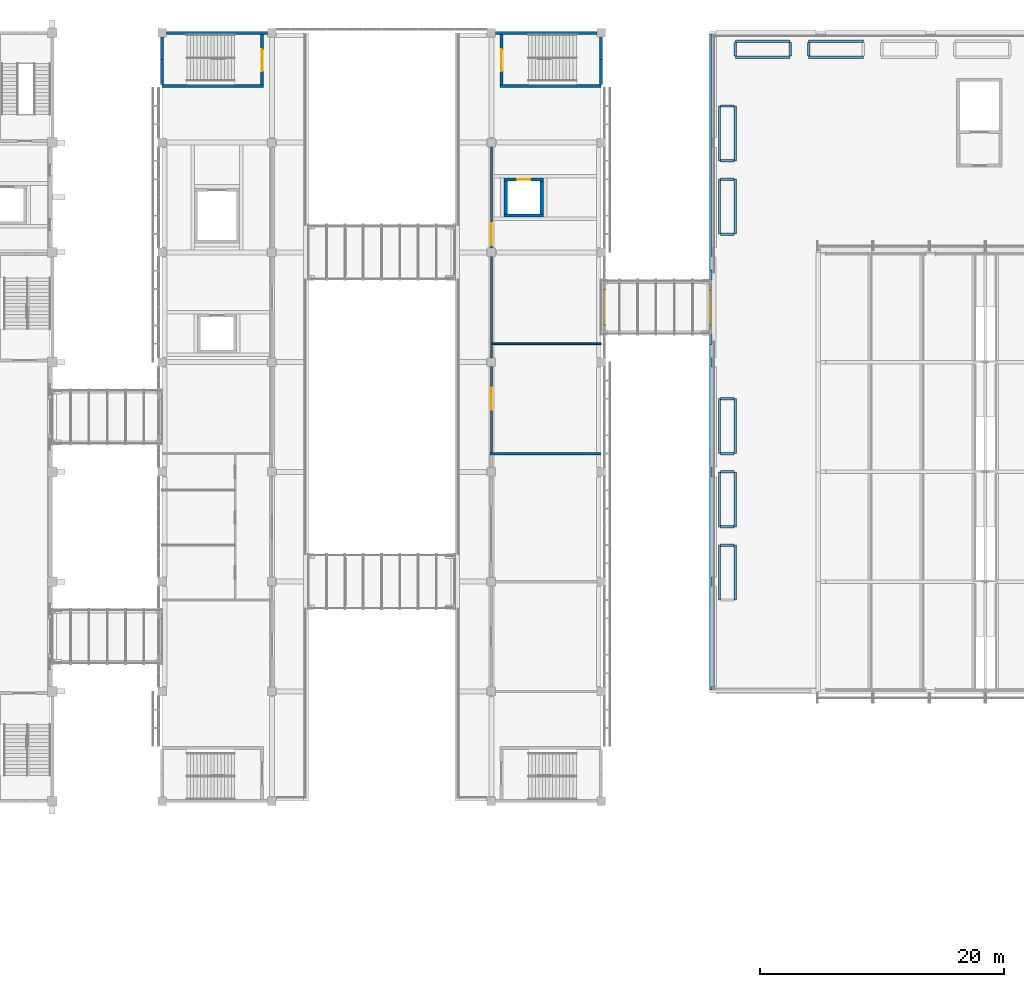
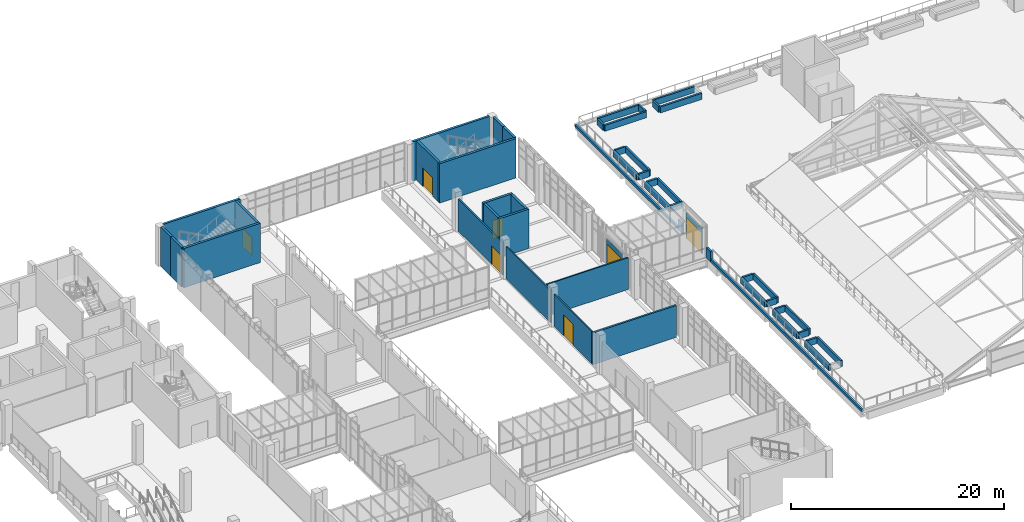
# One storey, part 75 of 106: 51 walls, 7 doors, 7 openings.
"""IFC4 building model written with IfcOpenShell, lengths in metres."""

from ifc_helpers import new_model, si_unit, direction, frame, frame_2d, origin, place, context, subcontext, project, spatial, rectangle, extrude, material, layer, layer_set, type_object, element, fill, save


model = new_model("IFC4")

# Units and contexts
model_context = context("Model", 3, precision=1e-05, world=origin(), true_north=direction((0.0, 1.0)))
body_context = subcontext(model_context, "Body", "Model", "MODEL_VIEW")
ifc_project = project(units=[si_unit("LENGTHUNIT", "METRE"), si_unit("AREAUNIT", "SQUARE_METRE"), si_unit("VOLUMEUNIT", "CUBIC_METRE"), si_unit("PLANEANGLEUNIT", "RADIAN"), si_unit("MASSUNIT", "GRAM", prefix="KILO")], contexts=[model_context])

# Site, building, storey
site_placement = place(None, origin())
site = spatial("IfcSite", under=ifc_project, at=site_placement, CompositionType="ELEMENT")
building_placement = place(site_placement, origin())
building = spatial("IfcBuilding", under=site, at=building_placement, Name="Guidao Yard Department Store", CompositionType="ELEMENT")
storey_placement = place(building_placement, frame((0.0, 0.0, 10.5)))
storey = spatial("IfcBuildingStorey", under=building, at=storey_placement, Name="L02", CompositionType="ELEMENT", Elevation=10.5)

# Wall, opening, door
ifc_material_1 = material(Name="Aluminium 6063-T5", Category="aluminium")
ifc_layer_1 = layer(ifc_material_1, 0.1201171875)
ifc_layer_set_1 = layer_set([ifc_layer_1], Name="Glazing frame wall 120")
wall_type_1 = type_object("IfcWallType", Name="Glazing frame wall 120", PredefinedType="STANDARD", material=ifc_layer_set_1)
wall_1_placement = place(storey_placement, frame((108.280029296875, 86.969970703125, 0.0), z_axis=(0.0, 0.0, 1.0), x_axis=(0.0, -1.0, 0.0)))
wall_1 = element("IfcWall", 1, at=wall_1_placement, inside=storey, type_object=wall_type_1, Name="Frame wall for Bridge door BR08", PredefinedType="STANDARD", context=body_context, shape_type="SweptSolid", body=[
    extrude(rectangle(XDim=2.93994140625, YDim=0.1201171875, at=frame_2d((1.469970703125, 0.0))), origin(), (0.0, 0.0, 1.0), 2.969970703125),
])
opening_1_placement = place(wall_1_placement, frame((0.070068359375, 0.0, 0.0)))
opening_1 = element("IfcOpeningElement", 2, at=opening_1_placement, cuts=wall_1, Name="Opening L02-854", PredefinedType="OPENING", context=body_context, shape_type="SweptSolid", body=[
    extrude(rectangle(XDim=2.800048828125, YDim=2.39990234375, at=frame_2d((1.39990234375, 1.199951171875))), frame((0.0, 0.070068359375, 0.0), z_axis=(0.0, -1.0, 0.0), x_axis=(1.0, 0.0, 0.0)), (0.0, 0.0, 1.0), 0.14013671875),
])
ifc_material_2 = material(Name="Fire-resistant glass in steel frame", Category="steel")
door_type_1 = type_object("IfcDoorType", Name="Bridge door BD1 2800 x 2400 fire-rated glazed double leaf", OperationType="DOUBLE_DOOR_SINGLE_SWING", PredefinedType="DOOR", material=ifc_material_2)
door_1_placement = place(opening_1_placement, origin())
door_1 = element("IfcDoor", 3, at=door_1_placement, inside=storey, type_object=door_type_1, Name="Bridge door BR08", OperationType="DOUBLE_DOOR_SINGLE_SWING", OverallHeight=2.39990234375, OverallWidth=2.800048828125, PredefinedType="DOOR", context=body_context, shape_type="SweptSolid", body=[
    extrude(rectangle(XDim=2.800048828125, YDim=2.39990234375, at=frame_2d((1.39990234375, 1.199951171875))), frame((0.0, 0.02490234375, 0.0), z_axis=(0.0, -1.0, 0.0), x_axis=(1.0, 0.0, 0.0)), (0.0, 0.0, 1.0), 0.050048828125),
])
fill(opening_1, door_1)

wall_2_placement = place(storey_placement, frame((116.919921875, 86.969970703125, 0.0), z_axis=(0.0, 0.0, 1.0), x_axis=(0.0, -1.0, 0.0)))
wall_2 = element("IfcWall", 4, at=wall_2_placement, inside=storey, type_object=wall_type_1, Name="Frame wall for bridge door", PredefinedType="STANDARD", context=body_context, shape_type="SweptSolid", body=[
    extrude(rectangle(XDim=2.93994140625, YDim=0.1201171875, at=frame_2d((1.469970703125, 0.0))), origin(), (0.0, 0.0, 1.0), 2.969970703125),
])
opening_2_placement = place(wall_2_placement, frame((2.8701171875, 0.0, 0.0), z_axis=(0.0, 0.0, 1.0), x_axis=(-1.0, 0.0, 0.0)))
opening_2 = element("IfcOpeningElement", 5, at=opening_2_placement, cuts=wall_2, Name="Opening L02-855", PredefinedType="OPENING", context=body_context, shape_type="SweptSolid", body=[
    extrude(rectangle(XDim=2.800048828125, YDim=2.39990234375, at=frame_2d((1.39990234375, 1.199951171875))), frame((0.0, 0.070068359375, 0.0), z_axis=(0.0, -1.0, 0.0), x_axis=(1.0, 0.0, 0.0)), (0.0, 0.0, 1.0), 0.14013671875),
])
door_2_placement = place(opening_2_placement, origin())
door_2 = element("IfcDoor", 6, at=door_2_placement, inside=storey, type_object=door_type_1, Name="Bridge door BR08", OperationType="DOUBLE_DOOR_SINGLE_SWING", OverallHeight=2.39990234375, OverallWidth=2.800048828125, PredefinedType="DOOR", context=body_context, shape_type="SweptSolid", body=[
    extrude(rectangle(XDim=2.800048828125, YDim=2.39990234375, at=frame_2d((1.39990234375, 1.199951171875))), frame((0.0, 0.02490234375, 0.0), z_axis=(0.0, -1.0, 0.0), x_axis=(1.0, 0.0, 0.0)), (0.0, 0.0, 1.0), 0.050048828125),
])
fill(opening_2, door_2)

# Walls
ifc_material_3 = material(Name="Concrete C30", Category="concrete")
ifc_layer_2 = layer(ifc_material_3, 0.199951171875)
ifc_layer_set_2 = layer_set([ifc_layer_2], Name="Parapet wall 200 C30")
wall_type_2 = type_object("IfcWallType", Name="Parapet wall 200 C30", PredefinedType="PARAPET", material=ifc_layer_set_2)
for number, where, z_axis, x_axis, name in (
    (7, (117.0, 82.449951171875, 0.0), (0.0, 0.0, 1.0), (0.0, 1.0, 0.0), "Parapet"),
    (8, (117.0, 87.75, 0.0), (0.0, 0.0, 1.0), (0.0, 1.0, 0.0), "Parapet"),
):
    element("IfcWall", number, at=place(storey_placement, frame(where, z_axis=z_axis, x_axis=x_axis)), inside=storey, type_object=wall_type_2, Name=name, PredefinedType="PARAPET", context=body_context, shape_type="SweptSolid", body=[
        extrude(rectangle(XDim=0.800048828125, YDim=0.199951171875, at=frame_2d((0.39990234375, 0.0))), origin(), (0.0, 0.0, 1.0), 1.199951171875),
    ])
ifc_material_4 = material(Name="Concrete C30", Category="concrete")
ifc_layer_3 = layer(ifc_material_4, 0.199951171875)
ifc_layer_set_3 = layer_set([ifc_layer_3], Name="Planter wall 200 C30")
wall_type_3 = type_object("IfcWallType", Name="Planter wall 200 C30", PredefinedType="USERDEFINED", material=ifc_layer_set_3)
for number, where, z_axis, x_axis, name in (
    (9, (117.699951171875, 61.5, 0.0), (0.0, 0.0, 1.0), (0.0, 1.0, 0.0), "Planter wall"),
    (10, (119.0, 61.5, 0.0), (0.0, 0.0, 1.0), (0.0, 1.0, 0.0), "Planter wall"),
):
    element("IfcWall", number, at=place(storey_placement, frame(where, z_axis=z_axis, x_axis=x_axis)), inside=storey, type_object=wall_type_3, Name=name, ObjectType="PLANTER", PredefinedType="USERDEFINED", context=body_context, shape_type="SweptSolid", body=[
        extrude(rectangle(XDim=4.5, YDim=0.199951171875, at=frame_2d((2.25, 0.0))), origin(), (0.0, 0.0, 1.0), 0.699951171875),
    ])
wall_3_placement = place(storey_placement, frame((117.800048828125, 66.0, 0.0), z_axis=(0.0, 0.0, 1.0), x_axis=(1.0, 0.0, 0.0)))
element("IfcWall", 11, at=wall_3_placement, inside=storey, type_object=wall_type_3, Name="Planter wall", ObjectType="PLANTER", PredefinedType="USERDEFINED", context=body_context, shape_type="SweptSolid", body=[
    extrude(rectangle(XDim=1.099853515625, YDim=0.199951171875, at=frame_2d((0.5498046875, 0.0))), origin(), (0.0, 0.0, 1.0), 0.699951171875),
])
for number, where, z_axis, x_axis, name in (
    (12, (117.699951171875, 67.5, 0.0), (0.0, 0.0, 1.0), (0.0, 1.0, 0.0), "Planter wall"),
    (13, (119.0, 67.5, 0.0), (0.0, 0.0, 1.0), (0.0, 1.0, 0.0), "Planter wall"),
):
    element("IfcWall", number, at=place(storey_placement, frame(where, z_axis=z_axis, x_axis=x_axis)), inside=storey, type_object=wall_type_3, Name=name, ObjectType="PLANTER", PredefinedType="USERDEFINED", context=body_context, shape_type="SweptSolid", body=[
        extrude(rectangle(XDim=4.5, YDim=0.199951171875, at=frame_2d((2.25, 0.0))), origin(), (0.0, 0.0, 1.0), 0.699951171875),
    ])
for number, where, z_axis, x_axis, name in (
    (14, (117.800048828125, 67.5, 0.0), (0.0, 0.0, 1.0), (1.0, 0.0, 0.0), "Planter wall"),
    (15, (117.800048828125, 72.0, 0.0), (0.0, 0.0, 1.0), (1.0, 0.0, 0.0), "Planter wall"),
):
    element("IfcWall", number, at=place(storey_placement, frame(where, z_axis=z_axis, x_axis=x_axis)), inside=storey, type_object=wall_type_3, Name=name, ObjectType="PLANTER", PredefinedType="USERDEFINED", context=body_context, shape_type="SweptSolid", body=[
        extrude(rectangle(XDim=1.099853515625, YDim=0.199951171875, at=frame_2d((0.5498046875, 0.0))), origin(), (0.0, 0.0, 1.0), 0.699951171875),
    ])
for number, where, z_axis, x_axis, name in (
    (16, (117.699951171875, 73.5, 0.0), (0.0, 0.0, 1.0), (0.0, 1.0, 0.0), "Planter wall"),
    (17, (119.0, 73.5, 0.0), (0.0, 0.0, 1.0), (0.0, 1.0, 0.0), "Planter wall"),
):
    element("IfcWall", number, at=place(storey_placement, frame(where, z_axis=z_axis, x_axis=x_axis)), inside=storey, type_object=wall_type_3, Name=name, ObjectType="PLANTER", PredefinedType="USERDEFINED", context=body_context, shape_type="SweptSolid", body=[
        extrude(rectangle(XDim=4.5, YDim=0.199951171875, at=frame_2d((2.25, 0.0))), origin(), (0.0, 0.0, 1.0), 0.699951171875),
    ])
for number, where, z_axis, x_axis, name in (
    (18, (117.800048828125, 73.5, 0.0), (0.0, 0.0, 1.0), (1.0, 0.0, 0.0), "Planter wall"),
    (19, (117.800048828125, 78.0, 0.0), (0.0, 0.0, 1.0), (1.0, 0.0, 0.0), "Planter wall"),
):
    element("IfcWall", number, at=place(storey_placement, frame(where, z_axis=z_axis, x_axis=x_axis)), inside=storey, type_object=wall_type_3, Name=name, ObjectType="PLANTER", PredefinedType="USERDEFINED", context=body_context, shape_type="SweptSolid", body=[
        extrude(rectangle(XDim=1.099853515625, YDim=0.199951171875, at=frame_2d((0.5498046875, 0.0))), origin(), (0.0, 0.0, 1.0), 0.699951171875),
    ])
for number, where, z_axis, x_axis, name in (
    (20, (117.699951171875, 91.5, 0.0), (0.0, 0.0, 1.0), (0.0, 1.0, 0.0), "Planter wall"),
    (21, (119.0, 91.5, 0.0), (0.0, 0.0, 1.0), (0.0, 1.0, 0.0), "Planter wall"),
):
    element("IfcWall", number, at=place(storey_placement, frame(where, z_axis=z_axis, x_axis=x_axis)), inside=storey, type_object=wall_type_3, Name=name, ObjectType="PLANTER", PredefinedType="USERDEFINED", context=body_context, shape_type="SweptSolid", body=[
        extrude(rectangle(XDim=4.5, YDim=0.199951171875, at=frame_2d((2.25, 0.0))), origin(), (0.0, 0.0, 1.0), 0.699951171875),
    ])
for number, where, z_axis, x_axis, name in (
    (22, (117.800048828125, 91.5, 0.0), (0.0, 0.0, 1.0), (1.0, 0.0, 0.0), "Planter wall"),
    (23, (117.800048828125, 96.0, 0.0), (0.0, 0.0, 1.0), (1.0, 0.0, 0.0), "Planter wall"),
):
    element("IfcWall", number, at=place(storey_placement, frame(where, z_axis=z_axis, x_axis=x_axis)), inside=storey, type_object=wall_type_3, Name=name, ObjectType="PLANTER", PredefinedType="USERDEFINED", context=body_context, shape_type="SweptSolid", body=[
        extrude(rectangle(XDim=1.099853515625, YDim=0.199951171875, at=frame_2d((0.5498046875, 0.0))), origin(), (0.0, 0.0, 1.0), 0.699951171875),
    ])
for number, where, z_axis, x_axis, name in (
    (24, (117.699951171875, 97.5, 0.0), (0.0, 0.0, 1.0), (0.0, 1.0, 0.0), "Planter wall"),
    (25, (119.0, 97.5, 0.0), (0.0, 0.0, 1.0), (0.0, 1.0, 0.0), "Planter wall"),
):
    element("IfcWall", number, at=place(storey_placement, frame(where, z_axis=z_axis, x_axis=x_axis)), inside=storey, type_object=wall_type_3, Name=name, ObjectType="PLANTER", PredefinedType="USERDEFINED", context=body_context, shape_type="SweptSolid", body=[
        extrude(rectangle(XDim=4.5, YDim=0.199951171875, at=frame_2d((2.25, 0.0))), origin(), (0.0, 0.0, 1.0), 0.699951171875),
    ])
for number, where, z_axis, x_axis, name in (
    (26, (117.800048828125, 97.5, 0.0), (0.0, 0.0, 1.0), (1.0, 0.0, 0.0), "Planter wall"),
    (27, (117.800048828125, 102.0, 0.0), (0.0, 0.0, 1.0), (1.0, 0.0, 0.0), "Planter wall"),
):
    element("IfcWall", number, at=place(storey_placement, frame(where, z_axis=z_axis, x_axis=x_axis)), inside=storey, type_object=wall_type_3, Name=name, ObjectType="PLANTER", PredefinedType="USERDEFINED", context=body_context, shape_type="SweptSolid", body=[
        extrude(rectangle(XDim=1.099853515625, YDim=0.199951171875, at=frame_2d((0.5498046875, 0.0))), origin(), (0.0, 0.0, 1.0), 0.699951171875),
    ])
for number, where, z_axis, x_axis, name in (
    (28, (119.0, 106.0, 0.0), (0.0, 0.0, 1.0), (1.0, 0.0, 0.0), "Planter wall"),
    (29, (119.0, 107.300048828125, 0.0), (0.0, 0.0, 1.0), (1.0, 0.0, 0.0), "Planter wall"),
):
    element("IfcWall", number, at=place(storey_placement, frame(where, z_axis=z_axis, x_axis=x_axis)), inside=storey, type_object=wall_type_3, Name=name, ObjectType="PLANTER", PredefinedType="USERDEFINED", context=body_context, shape_type="SweptSolid", body=[
        extrude(rectangle(XDim=4.5, YDim=0.199951171875, at=frame_2d((2.25, 0.0))), origin(), (0.0, 0.0, 1.0), 0.699951171875),
    ])
for number, where, z_axis, x_axis, name in (
    (30, (119.0, 106.10009765625, 0.0), (0.0, 0.0, 1.0), (0.0, 1.0, 0.0), "Planter wall"),
    (31, (123.5, 106.10009765625, 0.0), (0.0, 0.0, 1.0), (0.0, 1.0, 0.0), "Planter wall"),
):
    element("IfcWall", number, at=place(storey_placement, frame(where, z_axis=z_axis, x_axis=x_axis)), inside=storey, type_object=wall_type_3, Name=name, ObjectType="PLANTER", PredefinedType="USERDEFINED", context=body_context, shape_type="SweptSolid", body=[
        extrude(rectangle(XDim=1.099853515625, YDim=0.199951171875, at=frame_2d((0.5498046875, 0.0))), origin(), (0.0, 0.0, 1.0), 0.699951171875),
    ])
for number, where, z_axis, x_axis, name in (
    (32, (125.0, 106.0, 0.0), (0.0, 0.0, 1.0), (1.0, 0.0, 0.0), "Planter wall"),
    (33, (125.0, 107.300048828125, 0.0), (0.0, 0.0, 1.0), (1.0, 0.0, 0.0), "Planter wall"),
):
    element("IfcWall", number, at=place(storey_placement, frame(where, z_axis=z_axis, x_axis=x_axis)), inside=storey, type_object=wall_type_3, Name=name, ObjectType="PLANTER", PredefinedType="USERDEFINED", context=body_context, shape_type="SweptSolid", body=[
        extrude(rectangle(XDim=4.5, YDim=0.199951171875, at=frame_2d((2.25, 0.0))), origin(), (0.0, 0.0, 1.0), 0.699951171875),
    ])
wall_4_placement = place(storey_placement, frame((125.0, 106.10009765625, 0.0), z_axis=(0.0, 0.0, 1.0), x_axis=(0.0, 1.0, 0.0)))
element("IfcWall", 34, at=wall_4_placement, inside=storey, type_object=wall_type_3, Name="Planter wall", ObjectType="PLANTER", PredefinedType="USERDEFINED", context=body_context, shape_type="SweptSolid", body=[
    extrude(rectangle(XDim=1.099853515625, YDim=0.199951171875, at=frame_2d((0.5498046875, 0.0))), origin(), (0.0, 0.0, 1.0), 0.699951171875),
])
ifc_material_5 = material(Name="Concrete C30", Category="concrete")
ifc_layer_4 = layer(ifc_material_5, 0.199951171875)
ifc_layer_set_4 = layer_set([ifc_layer_4], Name="Roof edge kerb 200 C30")
wall_type_4 = type_object("IfcWallType", Name="Roof edge kerb 200 C30", PredefinedType="PARAPET", material=ifc_layer_set_4)
wall_5_placement = place(storey_placement, frame((117.0, 54.10009765625, 0.0), z_axis=(0.0, 0.0, 1.0), x_axis=(0.0, 1.0, 0.0)))
element("IfcWall", 35, at=wall_5_placement, inside=storey, type_object=wall_type_4, Name="Roof edge kerb", PredefinedType="PARAPET", context=body_context, shape_type="SweptSolid", body=[
    extrude(rectangle(XDim=28.349853515625, YDim=0.199951171875, at=frame_2d((14.1748046875, 0.0))), origin(), (0.0, 0.0, 1.0), 0.300048828125),
])
wall_6_placement = place(storey_placement, frame((117.0, 88.550048828125, 0.0), z_axis=(0.0, 0.0, 1.0), x_axis=(0.0, 1.0, 0.0)))
element("IfcWall", 36, at=wall_6_placement, inside=storey, type_object=wall_type_4, Name="Roof edge kerb", PredefinedType="PARAPET", context=body_context, shape_type="SweptSolid", body=[
    extrude(rectangle(XDim=19.349853515625, YDim=0.199951171875, at=frame_2d((9.6748046875, 0.0))), origin(), (0.0, 0.0, 1.0), 0.300048828125),
])
ifc_material_6 = material(Name="Concrete block MU10", Category="concrete")
ifc_layer_5 = layer(ifc_material_6, 0.199951171875)
ifc_layer_set_5 = layer_set([ifc_layer_5], Name="Shopfront Wall P4 200 mm blockwork EI 60")
wall_type_5 = type_object("IfcWallType", Name="Shopfront Wall P4 200 mm blockwork EI 60", PredefinedType="PARTITIONING", material=ifc_layer_set_5)
wall_7_placement = place(storey_placement, frame((98.89990234375, 73.5, 0.0), z_axis=(0.0, 0.0, 1.0), x_axis=(1.0, 0.0, 0.0)))
element("IfcWall", 37, at=wall_7_placement, inside=storey, type_object=wall_type_5, Name="Wall W-AL02-014", PredefinedType="PARTITIONING", context=body_context, shape_type="SweptSolid", body=[
    extrude(rectangle(XDim=9.10009765625, YDim=0.199951171875, at=frame_2d((4.550048828125, 0.0))), origin(), (0.0, 0.0, 1.0), 3.64990234375),
])

# Wall, opening, door
ifc_material_7 = material(Name="Concrete block MU10", Category="concrete")
ifc_layer_6 = layer(ifc_material_7, 0.14990234375)
ifc_layer_set_6 = layer_set([ifc_layer_6], Name="Wall P2 150 mm blockwork EI 60")
wall_type_6 = type_object("IfcWallType", Name="Wall P2 150 mm blockwork EI 60", PredefinedType="PARTITIONING", material=ifc_layer_set_6)
wall_8_placement = place(storey_placement, frame((99.0, 73.60009765625, 0.0), z_axis=(0.0, 0.0, 1.0), x_axis=(0.0, 1.0, 0.0)))
wall_8 = element("IfcWall", 38, at=wall_8_placement, inside=storey, type_object=wall_type_6, Name="Wall W-AL02-017", PredefinedType="PARTITIONING", context=body_context, shape_type="SweptSolid", body=[
    extrude(rectangle(XDim=7.0498046875, YDim=0.14990234375, at=frame_2d((3.52490234375, 0.0))), origin(), (0.0, 0.0, 1.0), 3.699951171875),
])
opening_3_placement = place(wall_8_placement, frame((5.300048828125, 0.0, 0.0), z_axis=(0.0, 0.0, 1.0), x_axis=(-1.0, 0.0, 0.0)))
opening_3 = element("IfcOpeningElement", 39, at=opening_3_placement, cuts=wall_8, Name="Opening AL02-008", PredefinedType="OPENING", context=body_context, shape_type="SweptSolid", body=[
    extrude(rectangle(XDim=1.800048828125, YDim=2.39990234375, at=frame_2d((0.89990234375, 1.199951171875))), frame((0.0, 0.0849609375, 0.0), z_axis=(0.0, -1.0, 0.0), x_axis=(1.0, 0.0, 0.0)), (0.0, 0.0, 1.0), 0.169921875),
])
ifc_material_8 = material(Name="Steel Q235", Category="steel")
door_type_2 = type_object("IfcDoorType", Name="Door FD12 pallet double 1800 x 2400 FD60", OperationType="DOUBLE_DOOR_SINGLE_SWING", PredefinedType="DOOR", material=ifc_material_8)
door_3_placement = place(opening_3_placement, origin())
door_3 = element("IfcDoor", 40, at=door_3_placement, inside=storey, type_object=door_type_2, Name="Door AL02-008", OperationType="DOUBLE_DOOR_SINGLE_SWING", OverallHeight=2.39990234375, OverallWidth=1.800048828125, PredefinedType="DOOR", context=body_context, shape_type="SweptSolid", body=[
    extrude(rectangle(XDim=1.800048828125, YDim=2.39990234375, at=frame_2d((0.89990234375, 1.199951171875))), frame((0.0, 0.02490234375, 0.0), z_axis=(0.0, -1.0, 0.0), x_axis=(1.0, 0.0, 0.0)), (0.0, 0.0, 1.0), 0.050048828125),
])
fill(opening_3, door_3)

# Walls
wall_9_placement = place(storey_placement, frame((99.0, 81.35009765625, 0.0), z_axis=(0.0, 0.0, 1.0), x_axis=(0.0, 1.0, 0.0)))
element("IfcWall", 41, at=wall_9_placement, inside=storey, type_object=wall_type_6, Name="Wall W-AL02-019", PredefinedType="PARTITIONING", context=body_context, shape_type="SweptSolid", body=[
    extrude(rectangle(XDim=8.2998046875, YDim=0.14990234375, at=frame_2d((4.14990234375, 0.0))), origin(), (0.0, 0.0, 1.0), 3.699951171875),
])
wall_10_placement = place(storey_placement, frame((99.074951171875, 82.5, 0.0), z_axis=(0.0, 0.0, 1.0), x_axis=(1.0, 0.0, 0.0)))
element("IfcWall", 42, at=wall_10_placement, inside=storey, type_object=wall_type_6, Name="Wall W-AL02-020", PredefinedType="PARTITIONING", context=body_context, shape_type="SweptSolid", body=[
    extrude(rectangle(XDim=8.925048828125, YDim=0.14990234375, at=frame_2d((4.46240234375, 0.0))), origin(), (0.0, 0.0, 1.0), 3.64990234375),
])

# Wall, opening, door
wall_11_placement = place(storey_placement, frame((99.0, 90.35009765625, 0.0), z_axis=(0.0, 0.0, 1.0), x_axis=(0.0, 1.0, 0.0)))
wall_11 = element("IfcWall", 43, at=wall_11_placement, inside=storey, type_object=wall_type_6, Name="Wall W-AL02-022", PredefinedType="PARTITIONING", context=body_context, shape_type="SweptSolid", body=[
    extrude(rectangle(XDim=8.2998046875, YDim=0.14990234375, at=frame_2d((4.14990234375, 0.0))), origin(), (0.0, 0.0, 1.0), 3.699951171875),
])
opening_4_placement = place(wall_11_placement, frame((2.050048828125, 0.0, 0.0), z_axis=(0.0, 0.0, 1.0), x_axis=(-1.0, 0.0, 0.0)))
opening_4 = element("IfcOpeningElement", 44, at=opening_4_placement, cuts=wall_11, Name="Opening AL02-010", PredefinedType="OPENING", context=body_context, shape_type="SweptSolid", body=[
    extrude(rectangle(XDim=1.800048828125, YDim=2.10009765625, at=frame_2d((0.89990234375, 1.050048828125))), frame((0.0, 0.0849609375, 0.0), z_axis=(0.0, -1.0, 0.0), x_axis=(1.0, 0.0, 0.0)), (0.0, 0.0, 1.0), 0.169921875),
])
ifc_material_9 = material(Name="Steel Q235", Category="steel")
door_type_3 = type_object("IfcDoorType", Name="Door FD5 double 1800 x 2100 FD60", OperationType="DOUBLE_DOOR_SINGLE_SWING", PredefinedType="DOOR", material=ifc_material_9)
door_4_placement = place(opening_4_placement, origin())
door_4 = element("IfcDoor", 45, at=door_4_placement, inside=storey, type_object=door_type_3, Name="Door AL02-010", OperationType="DOUBLE_DOOR_SINGLE_SWING", OverallHeight=2.10009765625, OverallWidth=1.800048828125, PredefinedType="DOOR", context=body_context, shape_type="SweptSolid", body=[
    extrude(rectangle(XDim=1.800048828125, YDim=2.10009765625, at=frame_2d((0.89990234375, 1.050048828125))), frame((0.0, 0.02490234375, 0.0), z_axis=(0.0, -1.0, 0.0), x_axis=(1.0, 0.0, 0.0)), (0.0, 0.0, 1.0), 0.050048828125),
])
fill(opening_4, door_4)

# Walls
ifc_material_10 = material(Name="Concrete C40", Category="concrete")
ifc_layer_7 = layer(ifc_material_10, 0.25)
ifc_layer_set_7 = layer_set([ifc_layer_7], Name="Wall RC 250 C40 stair and shaft")
wall_type_7 = type_object("IfcWallType", Name="Wall RC 250 C40 stair and shaft", PredefinedType="SHEAR", material=ifc_layer_set_7)
wall_12_placement = place(storey_placement, frame((72.0, 103.625, 0.0), z_axis=(0.0, 0.0, 1.0), x_axis=(1.0, 0.0, 0.0)))
element("IfcWall", 46, at=wall_12_placement, inside=storey, type_object=wall_type_7, Name="Stair wall SG2", PredefinedType="SHEAR", context=body_context, shape_type="SweptSolid", body=[
    extrude(rectangle(XDim=8.300048828125, YDim=0.25, at=frame_2d((4.14990234375, 0.0))), origin(), (0.0, 0.0, 1.0), 4.5),
])
wall_13_placement = place(storey_placement, frame((72.35009765625, 108.0, 0.0), z_axis=(0.0, 0.0, 1.0), x_axis=(1.0, 0.0, 0.0)))
element("IfcWall", 47, at=wall_13_placement, inside=storey, type_object=wall_type_7, Name="Stair wall SG2", PredefinedType="SHEAR", context=body_context, shape_type="SweptSolid", body=[
    extrude(rectangle(XDim=8.2998046875, YDim=0.25, at=frame_2d((4.14990234375, 0.0))), origin(), (0.0, 0.0, 1.0), 4.5),
])
wall_14_placement = place(storey_placement, frame((72.0, 103.75, 0.0), z_axis=(0.0, 0.0, 1.0), x_axis=(0.0, 1.0, 0.0)))
element("IfcWall", 48, at=wall_14_placement, inside=storey, type_object=wall_type_7, Name="Stair wall SG2", PredefinedType="SHEAR", context=body_context, shape_type="SweptSolid", body=[
    extrude(rectangle(XDim=2.06201171875, YDim=0.25, at=frame_2d((1.031005859375, 0.0))), origin(), (0.0, 0.0, 1.0), 4.5),
])
wall_15_placement = place(storey_placement, frame((72.0, 105.81201171875, 0.0), z_axis=(0.0, 0.0, 1.0), x_axis=(0.0, 1.0, 0.0)))
element("IfcWall", 49, at=wall_15_placement, inside=storey, type_object=wall_type_7, Name="Stair wall SG2", PredefinedType="SHEAR", context=body_context, shape_type="SweptSolid", body=[
    extrude(rectangle(XDim=1.837890625, YDim=0.25, at=frame_2d((0.9189453125, 0.0))), origin(), (0.0, 0.0, 1.0), 4.5),
])

# Wall, opening, door
wall_16_placement = place(storey_placement, frame((80.175048828125, 103.75, 0.0), z_axis=(0.0, 0.0, 1.0), x_axis=(0.0, 1.0, 0.0)))
wall_16 = element("IfcWall", 50, at=wall_16_placement, inside=storey, type_object=wall_type_7, Name="Stair wall SG2", PredefinedType="SHEAR", context=body_context, shape_type="SweptSolid", body=[
    extrude(rectangle(XDim=4.125, YDim=0.25, at=frame_2d((2.0625, 0.0))), origin(), (0.0, 0.0, 1.0), 4.5),
])
opening_5_placement = place(wall_16_placement, frame((2.900146484375, 0.0, 0.0), z_axis=(0.0, 0.0, 1.0), x_axis=(-1.0, 0.0, 0.0)))
opening_5 = element("IfcOpeningElement", 51, at=opening_5_placement, cuts=wall_16, Name="Opening L02-810", PredefinedType="OPENING", context=body_context, shape_type="SweptSolid", body=[
    extrude(rectangle(XDim=1.800048828125, YDim=2.10009765625, at=frame_2d((0.89990234375, 1.050048828125))), frame((0.0, 0.135009765625, 0.0), z_axis=(0.0, -1.0, 0.0), x_axis=(1.0, 0.0, 0.0)), (0.0, 0.0, 1.0), 0.27001953125),
])
ifc_material_11 = material(Name="Steel Q235", Category="steel")
door_type_4 = type_object("IfcDoorType", Name="Door fire-resisting 1800 x 2100 FD60", OperationType="DOUBLE_DOOR_SINGLE_SWING", PredefinedType="DOOR", material=ifc_material_11)
door_5_placement = place(opening_5_placement, origin())
door_5 = element("IfcDoor", 52, at=door_5_placement, inside=storey, type_object=door_type_4, Name="Stair G2 door L02", OperationType="DOUBLE_DOOR_SINGLE_SWING", OverallHeight=2.10009765625, OverallWidth=1.800048828125, PredefinedType="DOOR", context=body_context, shape_type="SweptSolid", body=[
    extrude(rectangle(XDim=1.800048828125, YDim=2.10009765625, at=frame_2d((0.89990234375, 1.050048828125))), frame((0.0, 0.02490234375, 0.0), z_axis=(0.0, -1.0, 0.0), x_axis=(1.0, 0.0, 0.0)), (0.0, 0.0, 1.0), 0.050048828125),
])
fill(opening_5, door_5)

# Walls
wall_17_placement = place(storey_placement, frame((99.699951171875, 103.625, 0.0), z_axis=(0.0, 0.0, 1.0), x_axis=(1.0, 0.0, 0.0)))
element("IfcWall", 53, at=wall_17_placement, inside=storey, type_object=wall_type_7, Name="Stair wall SG4", PredefinedType="SHEAR", context=body_context, shape_type="SweptSolid", body=[
    extrude(rectangle(XDim=8.300048828125, YDim=0.25, at=frame_2d((4.14990234375, 0.0))), origin(), (0.0, 0.0, 1.0), 4.5),
])
wall_18_placement = place(storey_placement, frame((99.35009765625, 108.0, 0.0), z_axis=(0.0, 0.0, 1.0), x_axis=(1.0, 0.0, 0.0)))
element("IfcWall", 54, at=wall_18_placement, inside=storey, type_object=wall_type_7, Name="Stair wall SG4", PredefinedType="SHEAR", context=body_context, shape_type="SweptSolid", body=[
    extrude(rectangle(XDim=8.2998046875, YDim=0.25, at=frame_2d((4.14990234375, 0.0))), origin(), (0.0, 0.0, 1.0), 4.5),
])

# Wall, opening, door
wall_19_placement = place(storey_placement, frame((99.824951171875, 103.75, 0.0), z_axis=(0.0, 0.0, 1.0), x_axis=(0.0, 1.0, 0.0)))
wall_19 = element("IfcWall", 55, at=wall_19_placement, inside=storey, type_object=wall_type_7, Name="Stair wall SG4", PredefinedType="SHEAR", context=body_context, shape_type="SweptSolid", body=[
    extrude(rectangle(XDim=4.125, YDim=0.25, at=frame_2d((2.0625, 0.0))), origin(), (0.0, 0.0, 1.0), 4.5),
])
opening_6_placement = place(wall_19_placement, frame((1.10009765625, 0.0, 0.0)))
opening_6 = element("IfcOpeningElement", 56, at=opening_6_placement, cuts=wall_19, Name="Opening L02-812", PredefinedType="OPENING", context=body_context, shape_type="SweptSolid", body=[
    extrude(rectangle(XDim=1.800048828125, YDim=2.10009765625, at=frame_2d((0.89990234375, 1.050048828125))), frame((0.0, 0.135009765625, 0.0), z_axis=(0.0, -1.0, 0.0), x_axis=(1.0, 0.0, 0.0)), (0.0, 0.0, 1.0), 0.27001953125),
])
door_6_placement = place(opening_6_placement, origin())
door_6 = element("IfcDoor", 57, at=door_6_placement, inside=storey, type_object=door_type_4, Name="Stair G4 door L02", OperationType="DOUBLE_DOOR_SINGLE_SWING", OverallHeight=2.10009765625, OverallWidth=1.800048828125, PredefinedType="DOOR", context=body_context, shape_type="SweptSolid", body=[
    extrude(rectangle(XDim=1.800048828125, YDim=2.10009765625, at=frame_2d((0.89990234375, 1.050048828125))), frame((0.0, 0.02490234375, 0.0), z_axis=(0.0, -1.0, 0.0), x_axis=(1.0, 0.0, 0.0)), (0.0, 0.0, 1.0), 0.050048828125),
])
fill(opening_6, door_6)

# Walls
wall_20_placement = place(storey_placement, frame((108.0, 103.75, 0.0), z_axis=(0.0, 0.0, 1.0), x_axis=(0.0, 1.0, 0.0)))
element("IfcWall", 58, at=wall_20_placement, inside=storey, type_object=wall_type_7, Name="Stair wall SG4", PredefinedType="SHEAR", context=body_context, shape_type="SweptSolid", body=[
    extrude(rectangle(XDim=2.06201171875, YDim=0.25, at=frame_2d((1.031005859375, 0.0))), origin(), (0.0, 0.0, 1.0), 4.5),
])
wall_21_placement = place(storey_placement, frame((108.0, 105.81201171875, 0.0), z_axis=(0.0, 0.0, 1.0), x_axis=(0.0, 1.0, 0.0)))
element("IfcWall", 59, at=wall_21_placement, inside=storey, type_object=wall_type_7, Name="Stair wall SG4", PredefinedType="SHEAR", context=body_context, shape_type="SweptSolid", body=[
    extrude(rectangle(XDim=1.837890625, YDim=0.25, at=frame_2d((0.9189453125, 0.0))), origin(), (0.0, 0.0, 1.0), 4.5),
])

# Wall, opening, door
wall_22_placement = place(storey_placement, frame((100.050048828125, 95.97509765625, 0.0), z_axis=(0.0, 0.0, 1.0), x_axis=(1.0, 0.0, 0.0)))
wall_22 = element("IfcWall", 60, at=wall_22_placement, inside=storey, type_object=wall_type_7, Name="Lift shaft wall GL2", PredefinedType="SHEAR", context=body_context, shape_type="SweptSolid", body=[
    extrude(rectangle(XDim=3.199951171875, YDim=0.25, at=frame_2d((1.60009765625, 0.0))), origin(), (0.0, 0.0, 1.0), 4.5),
])
opening_7_placement = place(wall_22_placement, frame((1.050048828125, 0.0, 0.0)))
opening_7 = element("IfcOpeningElement", 61, at=opening_7_placement, cuts=wall_22, Name="Opening LD-GL2-L02", PredefinedType="OPENING", context=body_context, shape_type="SweptSolid", body=[
    extrude(rectangle(XDim=1.10009765625, YDim=2.10009765625, at=frame_2d((0.550048828125, 1.050048828125))), frame((0.0, 0.135009765625, 0.0), z_axis=(0.0, -1.0, 0.0), x_axis=(1.0, 0.0, 0.0)), (0.0, 0.0, 1.0), 0.27001953125),
])
ifc_material_12 = material(Name="Stainless steel 06Cr19Ni10", Category="steel")
door_type_5 = type_object("IfcDoorType", Name="Lift landing door fire-resisting sliding 1100 x 2100", OperationType="DOUBLE_DOOR_SLIDING", PredefinedType="DOOR", material=ifc_material_12)
door_7_placement = place(opening_7_placement, origin())
door_7 = element("IfcDoor", 62, at=door_7_placement, inside=storey, type_object=door_type_5, Name="Lift landing door GL2 L02", OperationType="DOUBLE_DOOR_SLIDING", OverallHeight=2.10009765625, OverallWidth=1.10009765625, PredefinedType="DOOR", context=body_context, shape_type="SweptSolid", body=[
    extrude(rectangle(XDim=1.10009765625, YDim=2.10009765625, at=frame_2d((0.550048828125, 1.050048828125))), frame((0.0, 0.02490234375, 0.0), z_axis=(0.0, -1.0, 0.0), x_axis=(1.0, 0.0, 0.0)), (0.0, 0.0, 1.0), 0.050048828125),
])
fill(opening_7, door_7)

# Walls
wall_23_placement = place(storey_placement, frame((100.050048828125, 93.02490234375, 0.0), z_axis=(0.0, 0.0, 1.0), x_axis=(1.0, 0.0, 0.0)))
element("IfcWall", 63, at=wall_23_placement, inside=storey, type_object=wall_type_7, Name="Lift shaft wall GL2", PredefinedType="SHEAR", context=body_context, shape_type="SweptSolid", body=[
    extrude(rectangle(XDim=3.199951171875, YDim=0.25, at=frame_2d((1.60009765625, 0.0))), origin(), (0.0, 0.0, 1.0), 4.5),
])
for number, where, z_axis, x_axis, name in (
    (64, (100.175048828125, 93.14990234375, 0.0), (0.0, 0.0, 1.0), (0.0, 1.0, 0.0), "Lift shaft wall GL2"),
    (65, (103.125, 93.14990234375, 0.0), (0.0, 0.0, 1.0), (0.0, 1.0, 0.0), "Lift shaft wall GL2"),
):
    element("IfcWall", number, at=place(storey_placement, frame(where, z_axis=z_axis, x_axis=x_axis)), inside=storey, type_object=wall_type_7, Name=name, PredefinedType="SHEAR", context=body_context, shape_type="SweptSolid", body=[
        extrude(rectangle(XDim=2.7001953125, YDim=0.25, at=frame_2d((1.35009765625, 0.0))), origin(), (0.0, 0.0, 1.0), 4.5),
    ])

save(model, "model.ifc")
